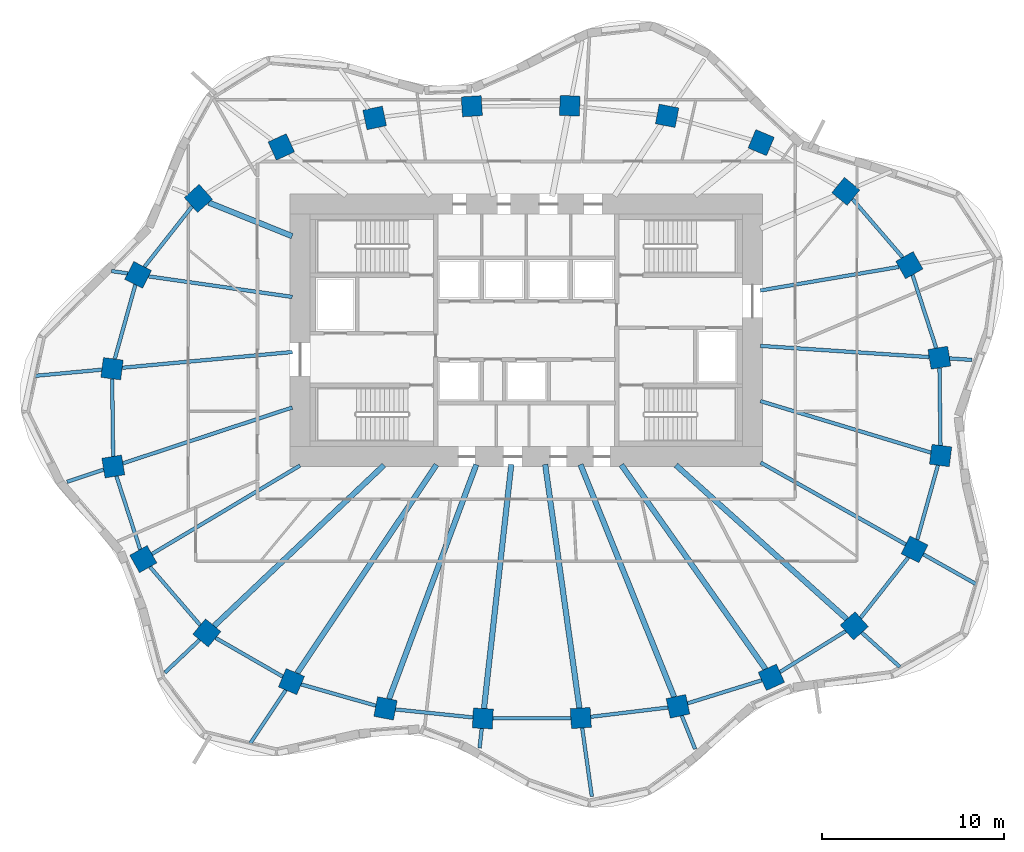
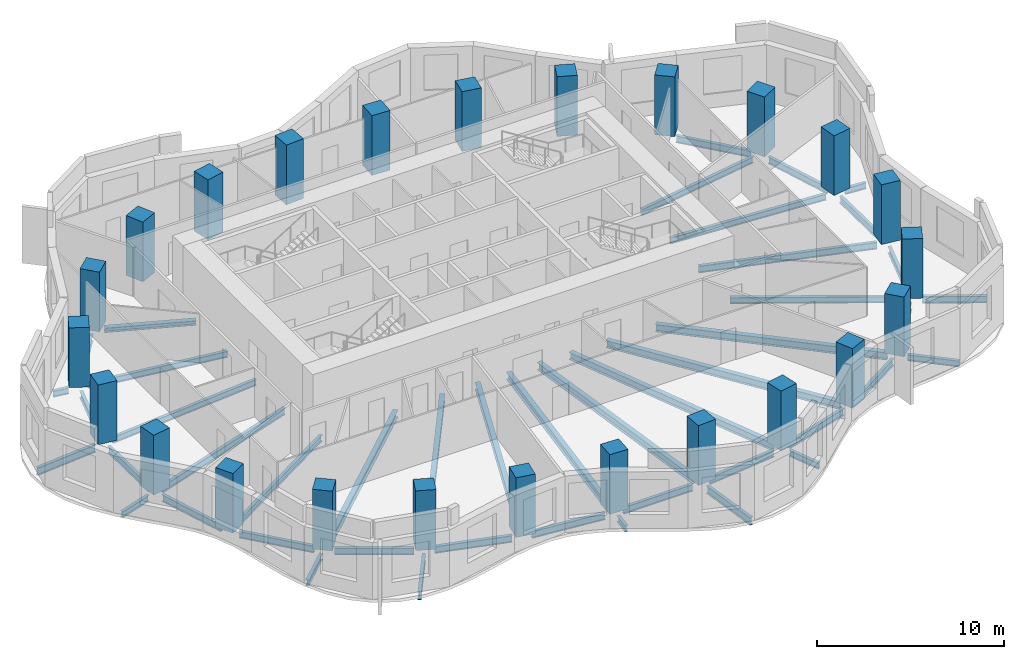
# One storey, part 1 of 9: 45 beams, 24 columns.
"""IFC4 building model written with IfcOpenShell, lengths in metres."""

from ifc_helpers import new_model, si_unit, direction, frame, origin, origin_2d, place, context, subcontext, project, spatial, rectangle, i_section, extrude, material, material_profile, profile_set, type_object, element, save


model = new_model("IFC4")

# Units and contexts
model_context = context("Model", 3, precision=1e-05, world=origin(), true_north=direction((0.0, 1.0)))
body_context = subcontext(model_context, "Body", "Model", "MODEL_VIEW")
ifc_project = project(units=[si_unit("LENGTHUNIT", "METRE"), si_unit("AREAUNIT", "SQUARE_METRE"), si_unit("VOLUMEUNIT", "CUBIC_METRE"), si_unit("PLANEANGLEUNIT", "RADIAN"), si_unit("MASSUNIT", "GRAM", prefix="KILO")], contexts=[model_context])

# Site, building, storey
site_placement = place(None, origin())
site = spatial("IfcSite", under=ifc_project, at=site_placement, CompositionType="ELEMENT")
building_placement = place(site_placement, origin())
building = spatial("IfcBuilding", under=site, at=building_placement, Name="Rubra Terraces Tower", CompositionType="ELEMENT")
storey_placement = place(building_placement, frame((0.0, 0.0, 142.199951171875)))
storey = spatial("IfcBuildingStorey", under=building, at=storey_placement, Name="L34", CompositionType="ELEMENT", Elevation=142.199951171875)

# Columns
ifc_material_1 = material(Name="Concrete C50", Category="concrete")
ifc_material_profile_1 = material_profile(ifc_material_1, rectangle(XDim=1.10009765625, YDim=1.10009765625, at=origin_2d()), Name="RC 1100x1100")
ifc_profile_set_1 = profile_set([ifc_material_profile_1], Name="Concrete C50")
column_type = type_object("IfcColumnType", Name="RING COLUMN RC 1100x1100 C50", PredefinedType="COLUMN", material=ifc_profile_set_1)
for number, where, z_axis, x_axis, name in (
    (1, (22.73388671875, 2.992919921875, 0.0), (0.0, 0.0, 1.0), (-0.162062155721, 0.986780551938, 0.0), "column-L34-ring-01"),
    (2, (21.0810546875, 8.090087890625, 0.0), (0.0, 0.0, 1.0), (-0.490161823029, 0.8716314515, 0.0), "column-L34-ring-02"),
    (3, (17.583984375, 12.15087890625, 0.0), (0.0, 0.0, 1.0), (-0.770679191336, 0.637223339216, 0.0), "column-L34-ring-03"),
    (4, (12.927001953125, 14.83203125, 0.0), (0.0, 0.0, 1.0), (-0.92110553102, 0.389312985558, 0.0), "column-L34-ring-04"),
    (5, (7.7509765625, 16.306884765625, 0.0), (0.0, 0.0, 1.0), (-0.981936574306, 0.189210369799, 0.0), "column-L34-ring-05"),
    (6, (2.39208984375, 16.862060546875, 0.0), (0.0, 0.0, 1.0), (-0.998791416829, 0.049149828786, 0.0), "column-L34-ring-06"),
    (7, (-2.9990234375, 16.8359375, 0.0), (0.0, 0.0, 1.0), (-0.998059443319, -0.062268351524, 0.0), "column-L34-ring-07"),
    (8, (-8.346923828125, 16.19189453125, 0.0), (0.0, 0.0, 1.0), (-0.977944102772, -0.208866780156, 0.0), "column-L34-ring-08"),
    (9, (-13.487060546875, 14.595947265625, 0.0), (0.0, 0.0, 1.0), (-0.90972649622, -0.415208022652, 0.0), "column-L34-ring-09"),
    (10, (-18.051025390625, 11.762939453125, 0.0), (0.0, 0.0, 1.0), (-0.7456420961, -0.66634665492, 0.0), "column-L34-ring-10"),
    (11, (-21.366943359375, 7.553955078125, 0.0), (0.0, 0.0, 1.0), (-0.452078869866, -0.891977968013, 0.0), "column-L34-ring-11"),
    (12, (-22.802001953125, 2.388916015625, 0.0), (0.0, 0.0, 1.0), (-0.128535191473, -0.991704948336, 0.0), "column-L34-ring-12"),
    (13, (-22.73388671875, -2.992919921875, 0.0), (0.0, 0.0, 1.0), (0.162062155721, -0.986780551938, 0.0), "column-L34-ring-13"),
    (14, (-21.0810546875, -8.090087890625, 0.0), (0.0, 0.0, 1.0), (0.490161823029, -0.8716314515, 0.0), "column-L34-ring-14"),
    (15, (-17.583984375, -12.15087890625, 0.0), (0.0, 0.0, 1.0), (0.770679191336, -0.637223339216, 0.0), "column-L34-ring-15"),
    (16, (-12.927001953125, -14.83203125, 0.0), (0.0, 0.0, 1.0), (0.92110553102, -0.389312985558, 0.0), "column-L34-ring-16"),
    (17, (-7.7509765625, -16.306884765625, 0.0), (0.0, 0.0, 1.0), (0.981936574306, -0.189210369799, 0.0), "column-L34-ring-17"),
    (18, (-2.39208984375, -16.862060546875, 0.0), (0.0, 0.0, 1.0), (0.998791416829, -0.049149828786, 0.0), "column-L34-ring-18"),
    (19, (2.9990234375, -16.8359375, 0.0), (0.0, 0.0, 1.0), (0.998059443319, 0.062268351524, 0.0), "column-L34-ring-19"),
    (20, (8.346923828125, -16.19189453125, 0.0), (0.0, 0.0, 1.0), (0.977944102772, 0.208866780156, 0.0), "column-L34-ring-20"),
    (21, (13.487060546875, -14.595947265625, 0.0), (0.0, 0.0, 1.0), (0.90972649622, 0.415208022652, 0.0), "column-L34-ring-21"),
    (22, (18.051025390625, -11.762939453125, 0.0), (0.0, 0.0, 1.0), (0.7456420961, 0.66634665492, 0.0), "column-L34-ring-22"),
    (23, (21.366943359375, -7.553955078125, 0.0), (0.0, 0.0, 1.0), (0.452078869866, 0.891977968013, 0.0), "column-L34-ring-23"),
    (24, (22.802001953125, -2.388916015625, 0.0), (0.0, 0.0, 1.0), (0.128535191473, 0.991704948336, 0.0), "column-L34-ring-24"),
):
    element("IfcColumn", number, at=place(storey_placement, frame(where, z_axis=z_axis, x_axis=x_axis)), inside=storey, type_object=column_type, Name=name, PredefinedType="COLUMN", context=body_context, shape_type="SweptSolid", body=[
        extrude(rectangle(XDim=1.10009765625, YDim=1.10009765625, at=origin_2d()), origin(), (0.0, 0.0, 1.0), 3.900146484375),
    ])

# Beams
ifc_material_2 = material(Name="Steel Q355B", Category="steel")
ifc_material_profile_2 = material_profile(ifc_material_2, i_section(OverallWidth=0.199951171875, OverallDepth=0.39990234375, WebThickness=0.008056640625, FlangeThickness=0.012939453125, at=origin_2d()), Name="HN 400x200x8x13")
ifc_profile_set_2 = profile_set([ifc_material_profile_2], Name="Steel Q355B")
beam_type_1 = type_object("IfcBeamType", Name="CANTILEVER BEAM HN 400x200x8x13", PredefinedType="BEAM", material=ifc_profile_set_2)
beam_1_placement = place(storey_placement, frame((-23.262939453125, -3.1669921875, -0.39990234375), z_axis=(-0.949759374295, -0.312981039264, 0.0), x_axis=(0.312981039264, -0.949759374295, 0.0)))
element("IfcBeam", 25, at=beam_1_placement, inside=storey, type_object=beam_type_1, Name="beam-L34-cant-13", PredefinedType="BEAM", context=body_context, shape_type="SweptSolid", body=[
    extrude(i_section(OverallWidth=0.199951171875, OverallDepth=0.39990234375, WebThickness=0.008056640625, FlangeThickness=0.012939453125, at=origin_2d()), origin(), (0.0, 0.0, 1.0), 2.121826171875),
])
beam_2_placement = place(storey_placement, frame((-17.986083984375, -12.531982421875, -0.39990234375), z_axis=(-0.726102150889, -0.68758684286, 0.0), x_axis=(0.68758684286, -0.726102150889, 0.0)))
element("IfcBeam", 26, at=beam_2_placement, inside=storey, type_object=beam_type_1, Name="beam-L34-cant-15", PredefinedType="BEAM", context=body_context, shape_type="SweptSolid", body=[
    extrude(i_section(OverallWidth=0.199951171875, OverallDepth=0.39990234375, WebThickness=0.008056640625, FlangeThickness=0.012939453125, at=origin_2d()), origin(), (0.0, 0.0, 1.0), 2.617919921875),
])
beam_3_placement = place(storey_placement, frame((8.555908203125, -16.7099609375, -0.39990234375), z_axis=(0.374177271319, -0.927357196353, 0.0), x_axis=(0.927357196353, 0.374177271319, 0.0)))
element("IfcBeam", 27, at=beam_3_placement, inside=storey, type_object=beam_type_1, Name="beam-L34-cant-20", PredefinedType="BEAM", context=body_context, shape_type="SweptSolid", body=[
    extrude(i_section(OverallWidth=0.199951171875, OverallDepth=0.39990234375, WebThickness=0.008056640625, FlangeThickness=0.012939453125, at=origin_2d()), origin(), (0.0, 0.0, 1.0), 1.9775390625),
])
beam_4_placement = place(storey_placement, frame((18.4619140625, -12.133056640625, -0.39990234375), z_axis=(0.742863981183, -0.669442383974, 0.0), x_axis=(0.669442383974, 0.742863981183, 0.0)))
element("IfcBeam", 28, at=beam_4_placement, inside=storey, type_object=beam_type_1, Name="beam-L34-cant-22", PredefinedType="BEAM", context=body_context, shape_type="SweptSolid", body=[
    extrude(i_section(OverallWidth=0.199951171875, OverallDepth=0.39990234375, WebThickness=0.008056640625, FlangeThickness=0.012939453125, at=origin_2d()), origin(), (0.0, 0.0, 1.0), 2.822998046875),
])
ifc_material_profile_3 = material_profile(ifc_material_2, i_section(OverallWidth=0.198974609375, OverallDepth=0.446044921875, WebThickness=0.008056640625, FlangeThickness=0.011962890625, at=origin_2d()), Name="HN 446x199x8x12")
ifc_profile_set_3 = profile_set([ifc_material_profile_3], Name="Steel Q355B")
beam_type_2 = type_object("IfcBeamType", Name="CANTILEVER BEAM HN 446x199x8x12", PredefinedType="BEAM", material=ifc_profile_set_3)
beam_5_placement = place(storey_placement, frame((21.846923828125, -7.824951171875, -0.4228515625), z_axis=(0.871003430184, -0.491276932705, 0.0), x_axis=(0.491276932705, 0.871003430184, 0.0)))
element("IfcBeam", 29, at=beam_5_placement, inside=storey, type_object=beam_type_2, Name="beam-L34-cant-23", PredefinedType="BEAM", context=body_context, shape_type="SweptSolid", body=[
    extrude(i_section(OverallWidth=0.198974609375, OverallDepth=0.446044921875, WebThickness=0.008056640625, FlangeThickness=0.011962890625, at=origin_2d()), origin(), (0.0, 0.0, 1.0), 3.433837890625),
])
ifc_material_profile_4 = material_profile(ifc_material_2, i_section(OverallWidth=0.198974609375, OverallDepth=0.49609375, WebThickness=0.009033203125, FlangeThickness=0.013916015625, at=origin_2d()), Name="HN 496x199x9x14")
ifc_profile_set_4 = profile_set([ifc_material_profile_4], Name="Steel Q355B")
beam_type_3 = type_object("IfcBeamType", Name="CANTILEVER BEAM HN 496x199x9x14", PredefinedType="BEAM", material=ifc_profile_set_4)
beam_6_placement = place(storey_placement, frame((-23.363037109375, 2.3369140625, -0.447998046875), z_axis=(-0.995741870342, -0.092185289763, 0.0), x_axis=(0.092185289763, -0.995741870342, 0.0)))
element("IfcBeam", 30, at=beam_6_placement, inside=storey, type_object=beam_type_3, Name="beam-L34-cant-12", PredefinedType="BEAM", context=body_context, shape_type="SweptSolid", body=[
    extrude(i_section(OverallWidth=0.198974609375, OverallDepth=0.49609375, WebThickness=0.009033203125, FlangeThickness=0.013916015625, at=origin_2d()), origin(), (0.0, 0.0, 1.0), 3.81640625),
])
beam_7_placement = place(storey_placement, frame((-13.238037109375, -15.298095703125, -0.447998046875), z_axis=(-0.555843573912, -0.831286906754, 0.0), x_axis=(0.831286906754, -0.555843573912, 0.0)))
element("IfcBeam", 31, at=beam_7_placement, inside=storey, type_object=beam_type_3, Name="beam-L34-cant-16", PredefinedType="BEAM", context=body_context, shape_type="SweptSolid", body=[
    extrude(i_section(OverallWidth=0.198974609375, OverallDepth=0.49609375, WebThickness=0.009033203125, FlangeThickness=0.013916015625, at=origin_2d()), origin(), (0.0, 0.0, 1.0), 3.644775390625),
])
beam_8_placement = place(storey_placement, frame((3.075927734375, -17.382080078125, -0.447998046875), z_axis=(0.139115411885, -0.990276174699, 0.0), x_axis=(0.990276174699, 0.139115411885, 0.0)))
element("IfcBeam", 32, at=beam_8_placement, inside=storey, type_object=beam_type_3, Name="beam-L34-cant-19", PredefinedType="BEAM", context=body_context, shape_type="SweptSolid", body=[
    extrude(i_section(OverallWidth=0.198974609375, OverallDepth=0.49609375, WebThickness=0.009033203125, FlangeThickness=0.013916015625, at=origin_2d()), origin(), (0.0, 0.0, 1.0), 3.81005859375),
])
ifc_material_profile_5 = material_profile(ifc_material_2, i_section(OverallWidth=0.199951171875, OverallDepth=0.39990234375, WebThickness=0.008056640625, FlangeThickness=0.012939453125, at=origin_2d()), Name="HN 400x200x8x13")
ifc_profile_set_5 = profile_set([ifc_material_profile_5], Name="Steel Q355B")
beam_type_4 = type_object("IfcBeamType", Name="CANTILEVER STUB HN 400x200x8x13", PredefinedType="BEAM", material=ifc_profile_set_5)
beam_9_placement = place(storey_placement, frame((23.298095703125, 2.9560546875, -0.39990234375), z_axis=(0.99781120572, -0.06612713316, 0.0), x_axis=(0.06612713316, 0.99781120572, 0.0)))
element("IfcBeam", 33, at=beam_9_placement, inside=storey, type_object=beam_type_4, Name="beam-L34-cant-01", PredefinedType="BEAM", context=body_context, shape_type="SweptSolid", body=[
    extrude(i_section(OverallWidth=0.199951171875, OverallDepth=0.39990234375, WebThickness=0.008056640625, FlangeThickness=0.012939453125, at=origin_2d()), origin(), (0.0, 0.0, 1.0), 1.240478515625),
])
beam_10_placement = place(storey_placement, frame((-21.94189453125, 7.635986328125, -0.39990234375), z_axis=(-0.989916778715, 0.141650171968, 0.0), x_axis=(-0.141650171968, -0.989916778715, 0.0)))
element("IfcBeam", 34, at=beam_10_placement, inside=storey, type_object=beam_type_4, Name="beam-L34-cant-11", PredefinedType="BEAM", context=body_context, shape_type="SweptSolid", body=[
    extrude(i_section(OverallWidth=0.199951171875, OverallDepth=0.39990234375, WebThickness=0.008056640625, FlangeThickness=0.012939453125, at=origin_2d()), origin(), (0.0, 0.0, 1.0), 0.896240234375),
])
beam_11_placement = place(storey_placement, frame((-2.452880859375, -17.409912109375, -0.39990234375), z_axis=(-0.111318262137, -0.993784807951, 0.0), x_axis=(0.993784807951, -0.111318262137, 0.0)))
element("IfcBeam", 35, at=beam_11_placement, inside=storey, type_object=beam_type_4, Name="beam-L34-cant-18", PredefinedType="BEAM", context=body_context, shape_type="SweptSolid", body=[
    extrude(i_section(OverallWidth=0.199951171875, OverallDepth=0.39990234375, WebThickness=0.008056640625, FlangeThickness=0.012939453125, at=origin_2d()), origin(), (0.0, 0.0, 1.0), 1.087890625),
])
ifc_material_profile_6 = material_profile(ifc_material_2, i_section(OverallWidth=0.300048828125, OverallDepth=0.48193359375, WebThickness=0.010986328125, FlangeThickness=0.014892578125, at=origin_2d()), Name="HM 482x300x11x15")
ifc_profile_set_6 = profile_set([ifc_material_profile_6], Name="Steel Q355B")
beam_type_5 = type_object("IfcBeamType", Name="FLOOR BEAM HM 482x300x11x15", PredefinedType="BEAM", material=ifc_profile_set_6)
beam_12_placement = place(storey_placement, frame((-17.181884765625, -11.77001953125, -0.44091796875), z_axis=(0.726100153208, 0.687588952436, 0.0), x_axis=(-0.687588952436, 0.726100153208, 0.0)))
element("IfcBeam", 36, at=beam_12_placement, inside=storey, type_object=beam_type_5, Name="beam-L34-floor-15", PredefinedType="BEAM", context=body_context, shape_type="SweptSolid", body=[
    extrude(i_section(OverallWidth=0.300048828125, OverallDepth=0.48193359375, WebThickness=0.010986328125, FlangeThickness=0.014892578125, at=origin_2d()), origin(), (0.0, 0.0, 1.0), 12.87548828125),
])
beam_13_placement = place(storey_placement, frame((-12.615966796875, -14.365966796875, -0.44091796875), z_axis=(0.555900449773, 0.831248873649, 0.0), x_axis=(-0.831248873649, 0.555900449773, 0.0)))
element("IfcBeam", 37, at=beam_13_placement, inside=storey, type_object=beam_type_5, Name="beam-L34-floor-16", PredefinedType="BEAM", context=body_context, shape_type="SweptSolid", body=[
    extrude(i_section(OverallWidth=0.300048828125, OverallDepth=0.48193359375, WebThickness=0.010986328125, FlangeThickness=0.014892578125, at=origin_2d()), origin(), (0.0, 0.0, 1.0), 13.793701171875),
])
beam_14_placement = place(storey_placement, frame((-7.555908203125, -15.783935546875, -0.44091796875), z_axis=(0.349081226263, 0.937092470075, 0.0), x_axis=(-0.937092470075, 0.349081226263, 0.0)))
element("IfcBeam", 38, at=beam_14_placement, inside=storey, type_object=beam_type_5, Name="beam-L34-floor-17", PredefinedType="BEAM", context=body_context, shape_type="SweptSolid", body=[
    extrude(i_section(OverallWidth=0.300048828125, OverallDepth=0.48193359375, WebThickness=0.010986328125, FlangeThickness=0.014892578125, at=origin_2d()), origin(), (0.0, 0.0, 1.0), 13.76171875),
])
beam_15_placement = place(storey_placement, frame((-2.3310546875, -16.31396484375, -0.44091796875), z_axis=(0.111351311584, 0.993781105379, 0.0), x_axis=(-0.993781105379, 0.111351311584, 0.0)))
element("IfcBeam", 39, at=beam_15_placement, inside=storey, type_object=beam_type_5, Name="beam-L34-floor-18", PredefinedType="BEAM", context=body_context, shape_type="SweptSolid", body=[
    extrude(i_section(OverallWidth=0.300048828125, OverallDepth=0.48193359375, WebThickness=0.010986328125, FlangeThickness=0.014892578125, at=origin_2d()), origin(), (0.0, 0.0, 1.0), 13.516845703125),
])
beam_16_placement = place(storey_placement, frame((2.922119140625, -16.2900390625, -0.44091796875), z_axis=(-0.139139078011, 0.990272849759, 0.0), x_axis=(-0.990272849759, -0.139139078011, 0.0)))
element("IfcBeam", 40, at=beam_16_placement, inside=storey, type_object=beam_type_5, Name="beam-L34-floor-19", PredefinedType="BEAM", context=body_context, shape_type="SweptSolid", body=[
    extrude(i_section(OverallWidth=0.300048828125, OverallDepth=0.48193359375, WebThickness=0.010986328125, FlangeThickness=0.014892578125, at=origin_2d()), origin(), (0.0, 0.0, 1.0), 13.54052734375),
])
beam_17_placement = place(storey_placement, frame((8.137939453125, -15.674072265625, -0.44091796875), z_axis=(-0.374072995757, 0.927399263449, 0.0), x_axis=(-0.927399263449, -0.374072995757, 0.0)))
element("IfcBeam", 41, at=beam_17_placement, inside=storey, type_object=beam_type_5, Name="beam-L34-floor-20", PredefinedType="BEAM", context=body_context, shape_type="SweptSolid", body=[
    extrude(i_section(OverallWidth=0.300048828125, OverallDepth=0.48193359375, WebThickness=0.010986328125, FlangeThickness=0.014892578125, at=origin_2d()), origin(), (0.0, 0.0, 1.0), 13.7861328125),
])
beam_18_placement = place(storey_placement, frame((13.1640625, -14.138916015625, -0.44091796875), z_axis=(-0.576885242087, 0.816825206187, 0.0), x_axis=(-0.816825206187, -0.576885242087, 0.0)))
element("IfcBeam", 42, at=beam_18_placement, inside=storey, type_object=beam_type_5, Name="beam-L34-floor-21", PredefinedType="BEAM", context=body_context, shape_type="SweptSolid", body=[
    extrude(i_section(OverallWidth=0.300048828125, OverallDepth=0.48193359375, WebThickness=0.010986328125, FlangeThickness=0.014892578125, at=origin_2d()), origin(), (0.0, 0.0, 1.0), 13.756591796875),
])
beam_19_placement = place(storey_placement, frame((17.639892578125, -11.39306640625, -0.44091796875), z_axis=(-0.742946892742, 0.669350367569, 0.0), x_axis=(-0.669350367569, -0.742946892742, 0.0)))
element("IfcBeam", 43, at=beam_19_placement, inside=storey, type_object=beam_type_5, Name="beam-L34-floor-22", PredefinedType="BEAM", context=body_context, shape_type="SweptSolid", body=[
    extrude(i_section(OverallWidth=0.300048828125, OverallDepth=0.48193359375, WebThickness=0.010986328125, FlangeThickness=0.014892578125, at=origin_2d()), origin(), (0.0, 0.0, 1.0), 12.65869140625),
])
ifc_material_profile_7 = material_profile(ifc_material_2, i_section(OverallWidth=0.199951171875, OverallDepth=0.39990234375, WebThickness=0.008056640625, FlangeThickness=0.012939453125, at=origin_2d()), Name="HN 400x200x8x13")
ifc_profile_set_7 = profile_set([ifc_material_profile_7], Name="Steel Q355B")
beam_type_6 = type_object("IfcBeamType", Name="FLOOR BEAM HN 400x200x8x13", PredefinedType="BEAM", material=ifc_profile_set_7)
beam_20_placement = place(storey_placement, frame((22.169921875, 3.030029296875, -0.39990234375), z_axis=(-0.997809110543, 0.0661587403, 0.0), x_axis=(-0.0661587403, -0.997809110543, 0.0)))
element("IfcBeam", 44, at=beam_20_placement, inside=storey, type_object=beam_type_6, Name="beam-L34-floor-01", PredefinedType="BEAM", context=body_context, shape_type="SweptSolid", body=[
    extrude(i_section(OverallWidth=0.199951171875, OverallDepth=0.39990234375, WebThickness=0.008056640625, FlangeThickness=0.012939453125, at=origin_2d()), origin(), (0.0, 0.0, 1.0), 9.310546875),
])
beam_21_placement = place(storey_placement, frame((20.5048828125, 7.991943359375, -0.39990234375), z_axis=(-0.985813612303, -0.167843742209, 0.0), x_axis=(0.167843742209, -0.985813612303, 0.0)))
element("IfcBeam", 45, at=beam_21_placement, inside=storey, type_object=beam_type_6, Name="beam-L34-floor-02", PredefinedType="BEAM", context=body_context, shape_type="SweptSolid", body=[
    extrude(i_section(OverallWidth=0.199951171875, OverallDepth=0.39990234375, WebThickness=0.008056640625, FlangeThickness=0.012939453125, at=origin_2d()), origin(), (0.0, 0.0, 1.0), 7.732421875),
])
beam_22_placement = place(storey_placement, frame((-20.7919921875, 7.471923828125, -0.39990234375), z_axis=(0.989936658262, -0.141511174924, 0.0), x_axis=(0.141511174924, 0.989936658262, 0.0)))
element("IfcBeam", 46, at=beam_22_placement, inside=storey, type_object=beam_type_6, Name="beam-L34-floor-11", PredefinedType="BEAM", context=body_context, shape_type="SweptSolid", body=[
    extrude(i_section(OverallWidth=0.199951171875, OverallDepth=0.39990234375, WebThickness=0.008056640625, FlangeThickness=0.012939453125, at=origin_2d()), origin(), (0.0, 0.0, 1.0), 7.9912109375),
])
beam_23_placement = place(storey_placement, frame((-22.240966796875, 2.44091796875, -0.39990234375), z_axis=(0.995735462061, 0.092254482791, 0.0), x_axis=(-0.092254482791, 0.995735462061, 0.0)))
element("IfcBeam", 47, at=beam_23_placement, inside=storey, type_object=beam_type_6, Name="beam-L34-floor-12", PredefinedType="BEAM", context=body_context, shape_type="SweptSolid", body=[
    extrude(i_section(OverallWidth=0.199951171875, OverallDepth=0.39990234375, WebThickness=0.008056640625, FlangeThickness=0.012939453125, at=origin_2d()), origin(), (0.0, 0.0, 1.0), 9.39990234375),
])
beam_24_placement = place(storey_placement, frame((-20.60888671875, -7.80810546875, -0.39990234375), z_axis=(0.858520950698, 0.51277848747, 0.0), x_axis=(-0.51277848747, 0.858520950698, 0.0)))
element("IfcBeam", 48, at=beam_24_placement, inside=storey, type_object=beam_type_6, Name="beam-L34-floor-14", PredefinedType="BEAM", context=body_context, shape_type="SweptSolid", body=[
    extrude(i_section(OverallWidth=0.199951171875, OverallDepth=0.39990234375, WebThickness=0.008056640625, FlangeThickness=0.012939453125, at=origin_2d()), origin(), (0.0, 0.0, 1.0), 9.49755859375),
])
beam_25_placement = place(storey_placement, frame((20.886962890625, -7.282958984375, -0.39990234375), z_axis=(-0.870988685804, 0.491303072656, 0.0), x_axis=(-0.491303072656, -0.870988685804, 0.0)))
element("IfcBeam", 49, at=beam_25_placement, inside=storey, type_object=beam_type_6, Name="beam-L34-floor-23", PredefinedType="BEAM", context=body_context, shape_type="SweptSolid", body=[
    extrude(i_section(OverallWidth=0.199951171875, OverallDepth=0.39990234375, WebThickness=0.008056640625, FlangeThickness=0.012939453125, at=origin_2d()), origin(), (0.0, 0.0, 1.0), 9.17578125),
])
ifc_material_profile_8 = material_profile(ifc_material_2, i_section(OverallWidth=0.198974609375, OverallDepth=0.446044921875, WebThickness=0.008056640625, FlangeThickness=0.011962890625, at=origin_2d()), Name="HN 446x199x8x12")
ifc_profile_set_8 = profile_set([ifc_material_profile_8], Name="Steel Q355B")
beam_type_7 = type_object("IfcBeamType", Name="FLOOR BEAM HN 446x199x8x12", PredefinedType="BEAM", material=ifc_profile_set_8)
beam_26_placement = place(storey_placement, frame((-22.205078125, -2.819091796875, -0.4228515625), z_axis=(0.949728041792, 0.313076103583, 0.0), x_axis=(-0.313076103583, 0.949728041792, 0.0)))
element("IfcBeam", 50, at=beam_26_placement, inside=storey, type_object=beam_type_7, Name="beam-L34-floor-13", PredefinedType="BEAM", context=body_context, shape_type="SweptSolid", body=[
    extrude(i_section(OverallWidth=0.198974609375, OverallDepth=0.446044921875, WebThickness=0.008056640625, FlangeThickness=0.011962890625, at=origin_2d()), origin(), (0.0, 0.0, 1.0), 9.8125),
])
beam_27_placement = place(storey_placement, frame((22.26806640625, -2.22802734375, -0.4228515625), z_axis=(-0.957261634756, 0.289223378419, 0.0), x_axis=(-0.289223378419, -0.957261634756, 0.0)))
element("IfcBeam", 51, at=beam_27_placement, inside=storey, type_object=beam_type_7, Name="beam-L34-floor-24", PredefinedType="BEAM", context=body_context, shape_type="SweptSolid", body=[
    extrude(i_section(OverallWidth=0.198974609375, OverallDepth=0.446044921875, WebThickness=0.008056640625, FlangeThickness=0.011962890625, at=origin_2d()), origin(), (0.0, 0.0, 1.0), 9.802001953125),
])
ifc_material_profile_9 = material_profile(ifc_material_2, i_section(OverallWidth=0.304931640625, OverallDepth=0.300048828125, WebThickness=0.014892578125, FlangeThickness=0.014892578125, at=origin_2d()), Name="HW 300x305x15x15")
ifc_profile_set_9 = profile_set([ifc_material_profile_9], Name="Steel Q355B")
beam_type_8 = type_object("IfcBeamType", Name="FLOOR BEAM HW 300x305x15x15", PredefinedType="BEAM", material=ifc_profile_set_9)
beam_28_placement = place(storey_placement, frame((-17.48193359375, 11.533935546875, -0.349853515625), z_axis=(0.927730023822, -0.373251929533, 0.0), x_axis=(0.373251929533, 0.927730023822, 0.0)))
element("IfcBeam", 52, at=beam_28_placement, inside=storey, type_object=beam_type_8, Name="beam-L34-floor-10", PredefinedType="BEAM", context=body_context, shape_type="SweptSolid", body=[
    extrude(i_section(OverallWidth=0.304931640625, OverallDepth=0.300048828125, WebThickness=0.014892578125, FlangeThickness=0.014892578125, at=origin_2d()), origin(), (0.0, 0.0, 1.0), 4.950927734375),
])
ifc_material_profile_10 = material_profile(ifc_material_2, i_section(OverallWidth=0.198974609375, OverallDepth=0.446044921875, WebThickness=0.008056640625, FlangeThickness=0.011962890625, at=origin_2d()), Name="HN 446x199x8x12")
ifc_profile_set_10 = profile_set([ifc_material_profile_10], Name="Steel Q355B")
beam_type_9 = type_object("IfcBeamType", Name="SPANDREL BEAM HN 446x199x8x12", PredefinedType="SPANDREL", material=ifc_profile_set_10)
beam_29_placement = place(storey_placement, frame((22.56201171875, 3.52197265625, -0.4228515625), z_axis=(-0.308462461648, 0.951236516201, 0.0), x_axis=(-0.951236516201, -0.308462461648, 0.0)))
element("IfcBeam", 53, at=beam_29_placement, inside=storey, type_object=beam_type_9, Name="beam-L34-spandrel-01", PredefinedType="SPANDREL", context=body_context, shape_type="SweptSolid", body=[
    extrude(i_section(OverallWidth=0.198974609375, OverallDepth=0.446044921875, WebThickness=0.008056640625, FlangeThickness=0.011962890625, at=origin_2d()), origin(), (0.0, 0.0, 1.0), 4.24072265625),
])
beam_30_placement = place(storey_placement, frame((20.715087890625, 8.514892578125, -0.4228515625), z_axis=(-0.65255344008, 0.757742705567, 0.0), x_axis=(-0.757742705567, -0.65255344008, 0.0)))
element("IfcBeam", 54, at=beam_30_placement, inside=storey, type_object=beam_type_9, Name="beam-L34-spandrel-02", PredefinedType="SPANDREL", context=body_context, shape_type="SweptSolid", body=[
    extrude(i_section(OverallWidth=0.198974609375, OverallDepth=0.446044921875, WebThickness=0.008056640625, FlangeThickness=0.011962890625, at=origin_2d()), origin(), (0.0, 0.0, 1.0), 4.240478515625),
])
beam_31_placement = place(storey_placement, frame((-18.39697265625, 11.323974609375, -0.4228515625), z_axis=(-0.618917461688, -0.785456030353, 0.0), x_axis=(0.785456030353, -0.618917461688, 0.0)))
element("IfcBeam", 55, at=beam_31_placement, inside=storey, type_object=beam_type_9, Name="beam-L34-spandrel-10", PredefinedType="SPANDREL", context=body_context, shape_type="SweptSolid", body=[
    extrude(i_section(OverallWidth=0.198974609375, OverallDepth=0.446044921875, WebThickness=0.008056640625, FlangeThickness=0.011962890625, at=origin_2d()), origin(), (0.0, 0.0, 1.0), 4.238037109375),
])
beam_32_placement = place(storey_placement, frame((-21.51708984375, 7.013916015625, -0.4228515625), z_axis=(-0.267626064819, -0.96352285361, 0.0), x_axis=(0.96352285361, -0.267626064819, 0.0)))
element("IfcBeam", 56, at=beam_32_placement, inside=storey, type_object=beam_type_9, Name="beam-L34-spandrel-11", PredefinedType="SPANDREL", context=body_context, shape_type="SweptSolid", body=[
    extrude(i_section(OverallWidth=0.198974609375, OverallDepth=0.446044921875, WebThickness=0.008056640625, FlangeThickness=0.011962890625, at=origin_2d()), origin(), (0.0, 0.0, 1.0), 4.24462890625),
])
beam_33_placement = place(storey_placement, frame((-22.794921875, 1.8330078125, -0.4228515625), z_axis=(0.012634783266, -0.99992017794, 0.0), x_axis=(0.99992017794, 0.012634783266, 0.0)))
element("IfcBeam", 57, at=beam_33_placement, inside=storey, type_object=beam_type_9, Name="beam-L34-spandrel-12", PredefinedType="SPANDREL", context=body_context, shape_type="SweptSolid", body=[
    extrude(i_section(OverallWidth=0.198974609375, OverallDepth=0.446044921875, WebThickness=0.008056640625, FlangeThickness=0.011962890625, at=origin_2d()), origin(), (0.0, 0.0, 1.0), 4.270263671875),
])
beam_34_placement = place(storey_placement, frame((-22.56201171875, -3.52197265625, -0.4228515625), z_axis=(0.308462461648, -0.951236516201, 0.0), x_axis=(0.951236516201, 0.308462461648, 0.0)))
element("IfcBeam", 58, at=beam_34_placement, inside=storey, type_object=beam_type_9, Name="beam-L34-spandrel-13", PredefinedType="SPANDREL", context=body_context, shape_type="SweptSolid", body=[
    extrude(i_section(OverallWidth=0.198974609375, OverallDepth=0.446044921875, WebThickness=0.008056640625, FlangeThickness=0.011962890625, at=origin_2d()), origin(), (0.0, 0.0, 1.0), 4.24072265625),
])
beam_35_placement = place(storey_placement, frame((-20.715087890625, -8.514892578125, -0.4228515625), z_axis=(0.65255344008, -0.757742705567, 0.0), x_axis=(0.757742705567, 0.65255344008, 0.0)))
element("IfcBeam", 59, at=beam_35_placement, inside=storey, type_object=beam_type_9, Name="beam-L34-spandrel-14", PredefinedType="SPANDREL", context=body_context, shape_type="SweptSolid", body=[
    extrude(i_section(OverallWidth=0.198974609375, OverallDepth=0.446044921875, WebThickness=0.008056640625, FlangeThickness=0.011962890625, at=origin_2d()), origin(), (0.0, 0.0, 1.0), 4.240478515625),
])
beam_36_placement = place(storey_placement, frame((-17.10009765625, -12.428955078125, -0.4228515625), z_axis=(0.866560147027, -0.49907265161, 0.0), x_axis=(0.49907265161, 0.866560147027, 0.0)))
element("IfcBeam", 60, at=beam_36_placement, inside=storey, type_object=beam_type_9, Name="beam-L34-spandrel-15", PredefinedType="SPANDREL", context=body_context, shape_type="SweptSolid", body=[
    extrude(i_section(OverallWidth=0.198974609375, OverallDepth=0.446044921875, WebThickness=0.008056640625, FlangeThickness=0.011962890625, at=origin_2d()), origin(), (0.0, 0.0, 1.0), 4.26171875),
])
beam_37_placement = place(storey_placement, frame((-12.39404296875, -14.98388671875, -0.4228515625), z_axis=(0.961693978406, -0.274125321518, 0.0), x_axis=(0.274125321518, 0.961693978406, 0.0)))
element("IfcBeam", 61, at=beam_37_placement, inside=storey, type_object=beam_type_9, Name="beam-L34-spandrel-16", PredefinedType="SPANDREL", context=body_context, shape_type="SweptSolid", body=[
    extrude(i_section(OverallWidth=0.198974609375, OverallDepth=0.446044921875, WebThickness=0.008056640625, FlangeThickness=0.011962890625, at=origin_2d()), origin(), (0.0, 0.0, 1.0), 4.27587890625),
])
beam_38_placement = place(storey_placement, frame((-7.201904296875, -16.364013671875, -0.4228515625), z_axis=(0.994691190497, -0.102904983103, 0.0), x_axis=(0.102904983103, 0.994691190497, 0.0)))
element("IfcBeam", 62, at=beam_38_placement, inside=storey, type_object=beam_type_9, Name="beam-L34-spandrel-17", PredefinedType="SPANDREL", context=body_context, shape_type="SweptSolid", body=[
    extrude(i_section(OverallWidth=0.198974609375, OverallDepth=0.446044921875, WebThickness=0.008056640625, FlangeThickness=0.011962890625, at=origin_2d()), origin(), (0.0, 0.0, 1.0), 4.28466796875),
])
beam_39_placement = place(storey_placement, frame((-1.841064453125, -16.85888671875, -0.4228515625), z_axis=(0.999989371096, 0.004610606731, 0.0), x_axis=(-0.004610606731, 0.999989371096, 0.0)))
element("IfcBeam", 63, at=beam_39_placement, inside=storey, type_object=beam_type_9, Name="beam-L34-spandrel-18", PredefinedType="SPANDREL", context=body_context, shape_type="SweptSolid", body=[
    extrude(i_section(OverallWidth=0.198974609375, OverallDepth=0.446044921875, WebThickness=0.008056640625, FlangeThickness=0.011962890625, at=origin_2d()), origin(), (0.0, 0.0, 1.0), 4.2890625),
])
beam_40_placement = place(storey_placement, frame((3.5458984375, -16.77001953125, -0.4228515625), z_axis=(0.992833084949, 0.119509269223, 0.0), x_axis=(-0.119509269223, 0.992833084949, 0.0)))
element("IfcBeam", 64, at=beam_40_placement, inside=storey, type_object=beam_type_9, Name="beam-L34-spandrel-19", PredefinedType="SPANDREL", context=body_context, shape_type="SweptSolid", body=[
    extrude(i_section(OverallWidth=0.198974609375, OverallDepth=0.446044921875, WebThickness=0.008056640625, FlangeThickness=0.011962890625, at=origin_2d()), origin(), (0.0, 0.0, 1.0), 4.283935546875),
])
beam_41_placement = place(storey_placement, frame((8.8740234375, -16.028076171875, -0.4228515625), z_axis=(0.955002801089, 0.296596780008, 0.0), x_axis=(-0.296596780008, 0.955002801089, 0.0)))
element("IfcBeam", 65, at=beam_41_placement, inside=storey, type_object=beam_type_9, Name="beam-L34-spandrel-20", PredefinedType="SPANDREL", context=body_context, shape_type="SweptSolid", body=[
    extrude(i_section(OverallWidth=0.198974609375, OverallDepth=0.446044921875, WebThickness=0.008056640625, FlangeThickness=0.011962890625, at=origin_2d()), origin(), (0.0, 0.0, 1.0), 4.275390625),
])
beam_42_placement = place(storey_placement, frame((13.9580078125, -14.303955078125, -0.4228515625), z_axis=(0.849549830498, 0.527508374816, 0.0), x_axis=(-0.527508374816, 0.849549830498, 0.0)))
element("IfcBeam", 66, at=beam_42_placement, inside=storey, type_object=beam_type_9, Name="beam-L34-spandrel-21", PredefinedType="SPANDREL", context=body_context, shape_type="SweptSolid", body=[
    extrude(i_section(OverallWidth=0.198974609375, OverallDepth=0.446044921875, WebThickness=0.008056640625, FlangeThickness=0.011962890625, at=origin_2d()), origin(), (0.0, 0.0, 1.0), 4.259765625),
])
beam_43_placement = place(storey_placement, frame((18.39697265625, -11.323974609375, -0.4228515625), z_axis=(0.618917461688, 0.785456030353, 0.0), x_axis=(-0.785456030353, 0.618917461688, 0.0)))
element("IfcBeam", 67, at=beam_43_placement, inside=storey, type_object=beam_type_9, Name="beam-L34-spandrel-22", PredefinedType="SPANDREL", context=body_context, shape_type="SweptSolid", body=[
    extrude(i_section(OverallWidth=0.198974609375, OverallDepth=0.446044921875, WebThickness=0.008056640625, FlangeThickness=0.011962890625, at=origin_2d()), origin(), (0.0, 0.0, 1.0), 4.238037109375),
])
beam_44_placement = place(storey_placement, frame((21.51708984375, -7.013916015625, -0.4228515625), z_axis=(0.267626064819, 0.96352285361, 0.0), x_axis=(-0.96352285361, 0.267626064819, 0.0)))
element("IfcBeam", 68, at=beam_44_placement, inside=storey, type_object=beam_type_9, Name="beam-L34-spandrel-23", PredefinedType="SPANDREL", context=body_context, shape_type="SweptSolid", body=[
    extrude(i_section(OverallWidth=0.198974609375, OverallDepth=0.446044921875, WebThickness=0.008056640625, FlangeThickness=0.011962890625, at=origin_2d()), origin(), (0.0, 0.0, 1.0), 4.24462890625),
])
beam_45_placement = place(storey_placement, frame((22.794921875, -1.8330078125, -0.4228515625), z_axis=(-0.012634783266, 0.99992017794, 0.0), x_axis=(-0.99992017794, -0.012634783266, 0.0)))
element("IfcBeam", 69, at=beam_45_placement, inside=storey, type_object=beam_type_9, Name="beam-L34-spandrel-24", PredefinedType="SPANDREL", context=body_context, shape_type="SweptSolid", body=[
    extrude(i_section(OverallWidth=0.198974609375, OverallDepth=0.446044921875, WebThickness=0.008056640625, FlangeThickness=0.011962890625, at=origin_2d()), origin(), (0.0, 0.0, 1.0), 4.270263671875),
])

save(model, "model.ifc")
